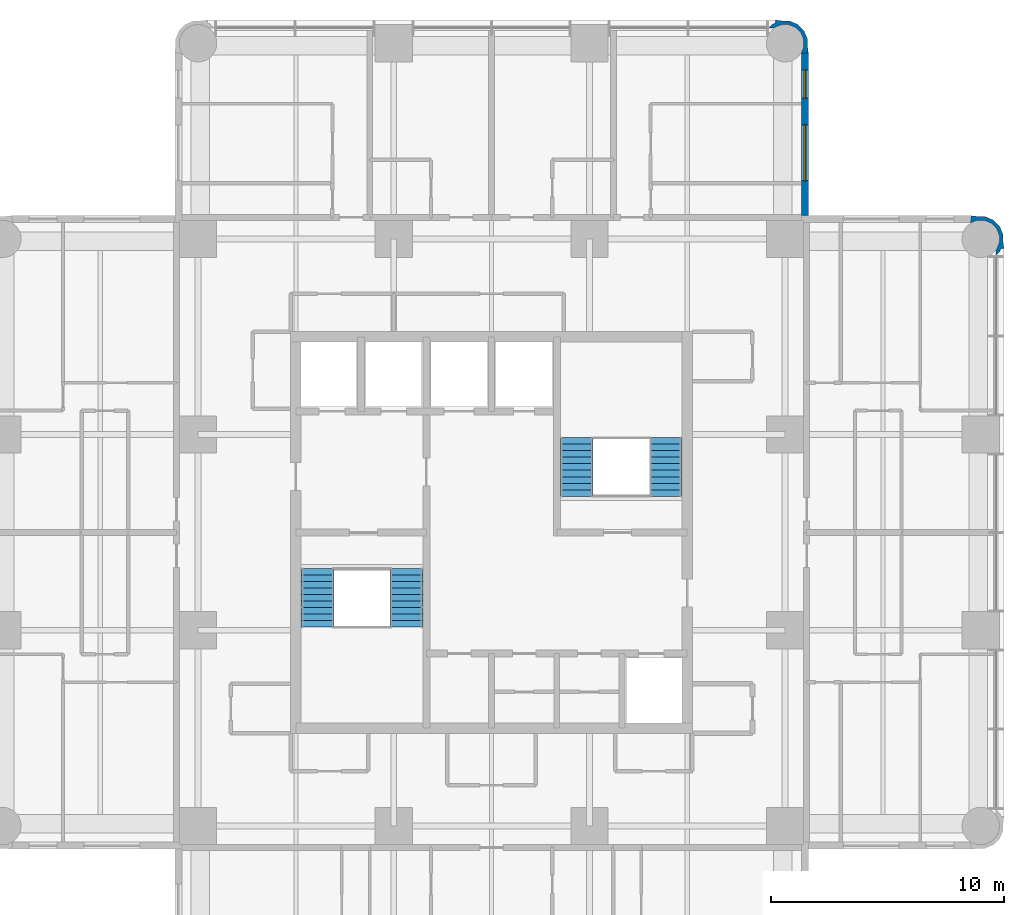
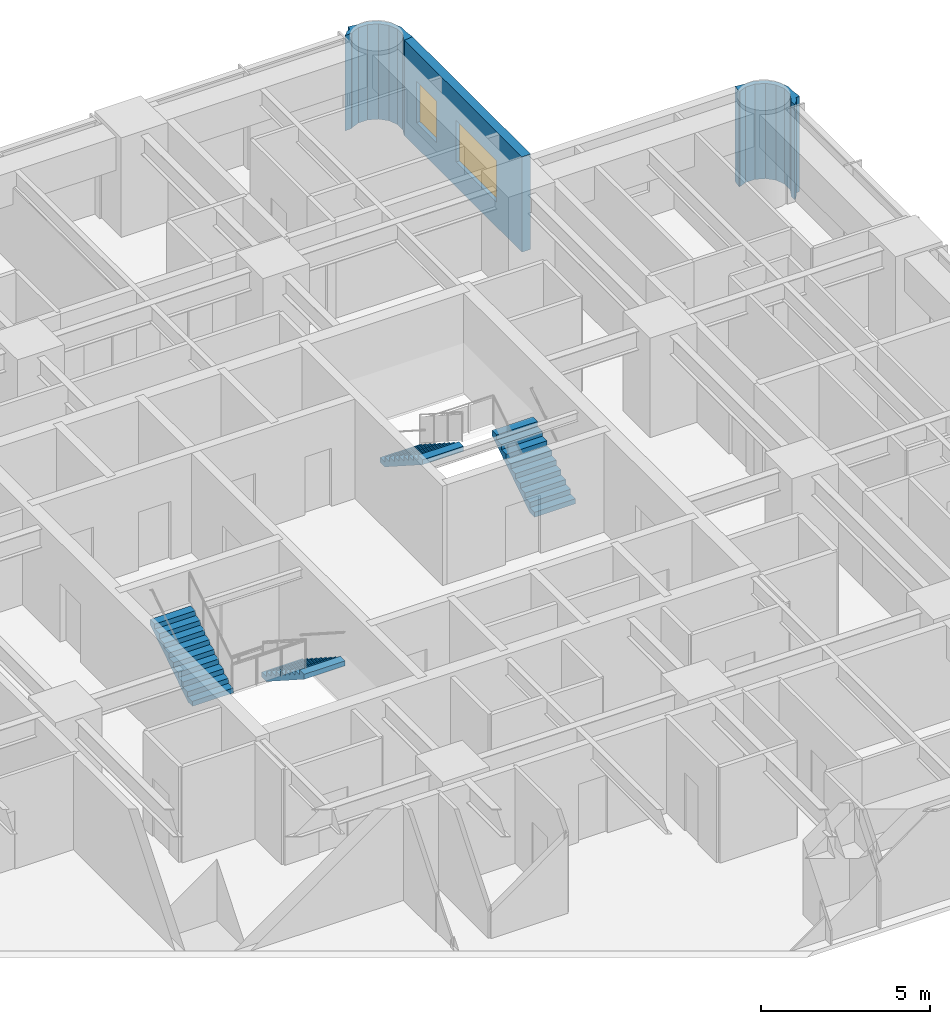
# One storey, part 9 of 10: 4 stair flights, 3 walls, 2 windows, 2 openings, 2 elements without a shape of their own.
"""IFC4 building model written with IfcOpenShell, lengths in metres."""

from ifc_helpers import new_model, si_unit, direction, frame, frame_2d, origin, place, context, subcontext, project, spatial, polyline, rectangle, outline, extrude, material, layer, layer_set, type_object, element, fill, aggregate, save


model = new_model("IFC4")

# Units and contexts
model_context = context("Model", 3, precision=1e-05, world=origin(), true_north=direction((0.0, 1.0)))
body_context = subcontext(model_context, "Body", "Model", "MODEL_VIEW")
ifc_project = project(units=[si_unit("LENGTHUNIT", "METRE"), si_unit("AREAUNIT", "SQUARE_METRE"), si_unit("VOLUMEUNIT", "CUBIC_METRE"), si_unit("PLANEANGLEUNIT", "RADIAN"), si_unit("MASSUNIT", "GRAM", prefix="KILO")], contexts=[model_context])

# Site, building, storey
site_placement = place(None, origin())
site = spatial("IfcSite", under=ifc_project, at=site_placement, CompositionType="ELEMENT")
building_placement = place(site_placement, origin())
building = spatial("IfcBuilding", under=site, at=building_placement, Name="Torre Alcanfor", CompositionType="ELEMENT")
storey_placement = place(building_placement, frame((0.0, 0.0, 257.699951171875)))
storey = spatial("IfcBuildingStorey", under=building, at=storey_placement, Name="L67", CompositionType="ELEMENT", Elevation=257.699951171875)

# Wall, openings, windows
ifc_material_1 = material(Name="Limestone cladding", Category="masonry")
ifc_layer_1 = layer(ifc_material_1, 0.0400390625, Name="Facing")
ifc_material_2 = material(Name="Ventilated air cavity")
ifc_layer_2 = layer(ifc_material_2, 0.02001953125, ventilated=True, Name="Ventilated joint")
ifc_material_3 = material(Name="Mineral wool insulation", Category="insulation")
ifc_layer_3 = layer(ifc_material_3, 0.10009765625, Name="Insulation")
ifc_material_4 = material(Name="Concrete f'c 35 MPa", Category="concrete")
ifc_layer_4 = layer(ifc_material_4, 0.139892578125, Name="Backing")
ifc_layer_set_1 = layer_set([ifc_layer_1, ifc_layer_2, ifc_layer_3, ifc_layer_4], Name="External wall stone-clad 300")
wall_type_1 = type_object("IfcWallType", Name="External wall stone-clad 300", PredefinedType="SOLIDWALL", material=ifc_layer_set_1)
wall_1_placement = place(storey_placement, frame((42.85009765625, 43.0, 0.0), z_axis=(0.0, 0.0, 1.0), x_axis=(0.0, 1.0, 0.0)))
wall_1 = element("IfcWall", 1, at=wall_1_placement, inside=storey, type_object=wall_type_1, Name="External wall L67 10", PredefinedType="SOLIDWALL", context=body_context, shape_type="SweptSolid", body=[
    extrude(rectangle(XDim=7.0, YDim=0.300048828125, at=frame_2d((3.5, 0.0))), origin(), (0.0, 0.0, 1.0), 3.449951171875),
])
opening_1_placement = place(wall_1_placement, frame((1.5, 0.0, 0.89990234375)))
opening_1 = element("IfcOpeningElement", 2, at=opening_1_placement, cuts=wall_1, Name="Opening W1", PredefinedType="OPENING", context=body_context, shape_type="SweptSolid", body=[
    extrude(rectangle(XDim=2.39990234375, YDim=1.5, at=frame_2d((1.199951171875, 0.75))), frame((0.0, 0.159912109375, 0.0), z_axis=(0.0, -1.0, 0.0), x_axis=(1.0, 0.0, 0.0)), (0.0, 0.0, 1.0), 0.320068359375),
])
opening_2_placement = place(wall_1_placement, frame((5.050048828125, 0.0, 0.89990234375)))
opening_2 = element("IfcOpeningElement", 3, at=opening_2_placement, cuts=wall_1, Name="Opening W4", PredefinedType="OPENING", context=body_context, shape_type="SweptSolid", body=[
    extrude(rectangle(XDim=1.199951171875, YDim=1.5, at=frame_2d((0.60009765625, 0.75))), frame((0.0, 0.159912109375, 0.0), z_axis=(0.0, -1.0, 0.0), x_axis=(1.0, 0.0, 0.0)), (0.0, 0.0, 1.0), 0.320068359375),
])
ifc_material_5 = material(Name="Aluminium frame with clear double glazing", Category="aluminium")
window_type_1 = type_object("IfcWindowType", Name="Window bedroom 1200x1500", PartitioningType="SINGLE_PANEL", PredefinedType="WINDOW", material=ifc_material_5)
window_1_placement = place(opening_2_placement, origin())
window_1 = element("IfcWindow", 4, at=window_1_placement, inside=storey, type_object=window_type_1, Name="Window W4 L67-N2", OverallHeight=1.5, OverallWidth=1.199951171875, PartitioningType="SINGLE_PANEL", PredefinedType="WINDOW", context=body_context, shape_type="SweptSolid", body=[
    extrude(rectangle(XDim=1.199951171875, YDim=1.5, at=frame_2d((0.60009765625, 0.75))), frame((0.0, 0.030029296875, 0.0), z_axis=(0.0, -1.0, 0.0), x_axis=(1.0, 0.0, 0.0)), (0.0, 0.0, 1.0), 0.06005859375),
])
fill(opening_2, window_1)
ifc_material_6 = material(Name="Aluminium frame with clear double glazing", Category="aluminium")
window_type_2 = type_object("IfcWindowType", Name="Window bedroom 2400x1500", PartitioningType="SINGLE_PANEL", PredefinedType="WINDOW", material=ifc_material_6)
window_2_placement = place(opening_1_placement, origin())
window_2 = element("IfcWindow", 5, at=window_2_placement, inside=storey, type_object=window_type_2, Name="Window W1 L67-N2", OverallHeight=1.5, OverallWidth=2.39990234375, PartitioningType="SINGLE_PANEL", PredefinedType="WINDOW", context=body_context, shape_type="SweptSolid", body=[
    extrude(rectangle(XDim=2.39990234375, YDim=1.5, at=frame_2d((1.199951171875, 0.75))), frame((0.0, 0.030029296875, 0.0), z_axis=(0.0, -1.0, 0.0), x_axis=(1.0, 0.0, 0.0)), (0.0, 0.0, 1.0), 0.06005859375),
])
fill(opening_1, window_2)

# Walls
ifc_layer_5 = layer(ifc_material_1, 0.0400390625, Name="Facing")
ifc_layer_6 = layer(ifc_material_2, 0.02001953125, ventilated=True, Name="Ventilated joint")
ifc_layer_7 = layer(ifc_material_3, 0.10009765625, Name="Insulation")
ifc_layer_8 = layer(ifc_material_4, 0.139892578125, Name="Backing")
ifc_layer_set_2 = layer_set([ifc_layer_5, ifc_layer_6, ifc_layer_7, ifc_layer_8], Name="Rounded corner pier stone-clad 300")
wall_type_2 = type_object("IfcWallType", Name="Rounded corner pier stone-clad 300", PredefinedType="SOLIDWALL", material=ifc_layer_set_2)
wall_2_placement = place(storey_placement, frame((50.995317512, 41.351928198, 0.0), z_axis=(0.0, 0.0, 1.0), x_axis=(0.93923434088, 0.343276641956, 0.0)))
element("IfcWall", 6, at=wall_2_placement, inside=storey, type_object=wall_type_2, Name="Corner pier L67 18", PredefinedType="SOLIDWALL", context=body_context, shape_type="SweptSolid", body=[
    extrude(outline(polyline([(0.532070859575347, 0.3931211644652769), (0.6306288016994257, 0.6627841490537395), (0.6143771848633752, 1.0443311048893273), (0.45345696635520466, 1.3906341192975507), (0.17231172366982617, 1.649090202748046), (-0.09758056617764022, 1.74773195264604), (-0.36909183345629537, 1.8895948858729632), (-0.5092390395564855, 1.6213555819315348), (-0.49066531357717813, 1.6145671522444172), (-0.47932809452638603, 1.6086040111878088), (-0.2113001838193056, 1.620076634704648), (0.08794317918064642, 1.5107074897455302), (0.32266524235562133, 1.295211990161107), (0.4568756133186334, 1.0059793555180252), (0.4702267622199973, 0.6876171339758476), (0.3609414250347944, 0.3886030762348993), (0.14544592545037124, 0.1538810130599244), (0.10810166675911574, 0.13633750707535794), (0.030998514757285493, -0.07462333120813314), (0.24109735984581876, 0.023005481286426002), (0.3334973043867029, 0.12362143657357082), (0.46519074604266464, 0.09420475511640602), (0.532070859575347, 0.3931211644652769)])), origin(), (0.0, 0.0, 1.0), 3.449951171875),
])
wall_3_placement = place(storey_placement, frame((42.817059488, 50.073176205, 0.0), z_axis=(0.0, 0.0, 1.0), x_axis=(0.343276641956, 0.93923434088, 0.0)))
element("IfcWall", 7, at=wall_3_placement, inside=storey, type_object=wall_type_2, Name="Corner pier L67 19", PredefinedType="SOLIDWALL", context=body_context, shape_type="SweptSolid", body=[
    extrude(outline(polyline([(0.2655808672444785, -0.0550807599050476), (0.5354731570919448, 0.04356098999294611), (0.8166183997773234, 0.30201707344344164), (0.9775386182854939, 0.6483200878516648), (0.9937902351215443, 1.0298670436872528), (0.8952322929974657, 1.2995300282757154), (0.8283521794647835, 1.5984464376245864), (0.6966587378088214, 1.5690297561674216), (0.6042587932679374, 1.6696457114545662), (0.39415994817940425, 1.7672745239491254), (0.47126310018123446, 1.5563136856656343), (0.50860735887249, 1.538770179681068), (0.7241028584569131, 1.304048116506093), (0.833388195642116, 1.0050340587651447), (0.8200370467407522, 0.686671837222967), (0.68582667577774, 0.3974392025798854), (0.4511046126027651, 0.18194370299546214), (0.15186124960281305, 0.07257455803634424), (-0.11616666110426738, 0.08404718155318341), (-0.12750388015505948, 0.07808404049657515), (-0.14607760613436685, 0.07129561080945748), (-0.0059304000341767055, -0.19694369313197083), (0.2655808672444785, -0.0550807599050476)])), origin(), (0.0, 0.0, 1.0), 3.449951171875),
])

# Stair, stair flights
ifc_material_7 = material(Name="Concrete f'c 35 MPa", Category="concrete")
stair_type_1 = type_object("IfcStairType", Name="Exit stair S1 1400 wide", PredefinedType="HALF_TURN_STAIR", material=ifc_material_7)
stair_1_placement = place(storey_placement, origin())
stair_1 = element("IfcStair", 8, at=stair_1_placement, inside=storey, type_object=stair_type_1, Name="Stair S1 L67 to L68", PredefinedType="HALF_TURN_STAIR")
ifc_material_8 = material(Name="Concrete f'c 35 MPa", Category="concrete")
stair_flight_type = type_object("IfcStairFlightType", Name="Stair flight 1400", PredefinedType="STRAIGHT", material=ifc_material_8)
stair_flight_1_placement = place(storey_placement, frame((25.75, 27.85009765625, 0.0), z_axis=(0.0, 0.0, 1.0), x_axis=(0.0, -1.0, 0.0)))
stair_flight_1 = element("IfcStairFlight", 9, at=stair_flight_1_placement, type_object=stair_flight_type, Name="S1 flight 1", NumberOfRisers=10, NumberOfTreads=9, PredefinedType="STRAIGHT", RiserHeight=0.18, TreadLength=0.28, context=body_context, shape_type="SweptSolid", body=[
    extrude(outline(polyline([(0.0, 0.0), (0.0, 0.179931640625), (0.280029296875, 0.179931640625), (0.280029296875, 0.360107421875), (0.56005859375, 0.360107421875), (0.56005859375, 0.5400390625), (0.840087890625, 0.5400390625), (0.840087890625, 0.719970703125), (1.1201171875, 0.719970703125), (1.1201171875, 0.89990234375), (1.39990234375, 0.89990234375), (1.39990234375, 1.080078125), (1.679931640625, 1.080078125), (1.679931640625, 1.260009765625), (1.9599609375, 1.260009765625), (1.9599609375, 1.43994140625), (2.239990234375, 1.43994140625), (2.239990234375, 1.6201171875), (2.52001953125, 1.6201171875), (2.52001953125, 1.800048828125), (2.52001953125, 1.44189453125), (0.277099609375, 0.0), (0.0, 0.0)])), frame((0.0, 0.699951171875, 0.0), z_axis=(0.0, -1.0, 0.0), x_axis=(1.0, 0.0, 0.0)), (0.0, 0.0, 1.0), 1.39990234375),
])
stair_flight_2_placement = place(storey_placement, frame((21.925048828125, 25.330078125, 1.800048828125), z_axis=(0.0, 0.0, 1.0), x_axis=(0.0, 1.0, 0.0)))
stair_flight_2 = element("IfcStairFlight", 10, at=stair_flight_2_placement, type_object=stair_flight_type, Name="S1 flight 2", NumberOfRisers=10, NumberOfTreads=9, PredefinedType="STRAIGHT", RiserHeight=0.18, TreadLength=0.28, context=body_context, shape_type="SweptSolid", body=[
    extrude(outline(polyline([(0.0, 0.0), (0.0, 0.179931640625), (0.280029296875, 0.179931640625), (0.280029296875, 0.360107421875), (0.56005859375, 0.360107421875), (0.56005859375, 0.5400390625), (0.840087890625, 0.5400390625), (0.840087890625, 0.719970703125), (1.1201171875, 0.719970703125), (1.1201171875, 0.89990234375), (1.39990234375, 0.89990234375), (1.39990234375, 1.080078125), (1.679931640625, 1.080078125), (1.679931640625, 1.260009765625), (1.9599609375, 1.260009765625), (1.9599609375, 1.43994140625), (2.239990234375, 1.43994140625), (2.239990234375, 1.6201171875), (2.52001953125, 1.6201171875), (2.52001953125, 1.800048828125), (2.52001953125, 1.44189453125), (0.277099609375, 0.0), (0.0, 0.0)])), frame((0.0, 0.699951171875, 0.0), z_axis=(0.0, -1.0, 0.0), x_axis=(1.0, 0.0, 0.0)), (0.0, 0.0, 1.0), 1.39990234375),
])
aggregate(stair_1, [stair_flight_1, stair_flight_2])

ifc_material_9 = material(Name="Concrete f'c 35 MPa", Category="concrete")
stair_type_2 = type_object("IfcStairType", Name="Exit stair S2 1400 wide", PredefinedType="HALF_TURN_STAIR", material=ifc_material_9)
stair_2_placement = place(storey_placement, origin())
stair_2 = element("IfcStair", 11, at=stair_2_placement, inside=storey, type_object=stair_type_2, Name="Stair S2 L67 to L68", PredefinedType="HALF_TURN_STAIR")
stair_flight_3_placement = place(storey_placement, frame((36.875, 30.949951171875, 0.0), z_axis=(0.0, 0.0, 1.0), x_axis=(0.0, 1.0, 0.0)))
stair_flight_3 = element("IfcStairFlight", 12, at=stair_flight_3_placement, type_object=stair_flight_type, Name="S2 flight 1", NumberOfRisers=10, NumberOfTreads=9, PredefinedType="STRAIGHT", RiserHeight=0.18, TreadLength=0.28, context=body_context, shape_type="SweptSolid", body=[
    extrude(outline(polyline([(0.0, 0.0), (0.0, 0.179931640625), (0.280029296875, 0.179931640625), (0.280029296875, 0.360107421875), (0.56005859375, 0.360107421875), (0.56005859375, 0.5400390625), (0.840087890625, 0.5400390625), (0.840087890625, 0.719970703125), (1.1201171875, 0.719970703125), (1.1201171875, 0.89990234375), (1.39990234375, 0.89990234375), (1.39990234375, 1.080078125), (1.679931640625, 1.080078125), (1.679931640625, 1.260009765625), (1.9599609375, 1.260009765625), (1.9599609375, 1.43994140625), (2.239990234375, 1.43994140625), (2.239990234375, 1.6201171875), (2.52001953125, 1.6201171875), (2.52001953125, 1.800048828125), (2.52001953125, 1.44189453125), (0.277099609375, 0.0), (0.0, 0.0)])), frame((0.0, 0.699951171875, 0.0), z_axis=(0.0, -1.0, 0.0), x_axis=(1.0, 0.0, 0.0)), (0.0, 0.0, 1.0), 1.39990234375),
])
stair_flight_4_placement = place(storey_placement, frame((33.050048828125, 33.469970703125, 1.800048828125), z_axis=(0.0, 0.0, 1.0), x_axis=(0.0, -1.0, 0.0)))
stair_flight_4 = element("IfcStairFlight", 13, at=stair_flight_4_placement, type_object=stair_flight_type, Name="S2 flight 2", NumberOfRisers=10, NumberOfTreads=9, PredefinedType="STRAIGHT", RiserHeight=0.18, TreadLength=0.28, context=body_context, shape_type="SweptSolid", body=[
    extrude(outline(polyline([(0.0, 0.0), (0.0, 0.179931640625), (0.280029296875, 0.179931640625), (0.280029296875, 0.360107421875), (0.56005859375, 0.360107421875), (0.56005859375, 0.5400390625), (0.840087890625, 0.5400390625), (0.840087890625, 0.719970703125), (1.1201171875, 0.719970703125), (1.1201171875, 0.89990234375), (1.39990234375, 0.89990234375), (1.39990234375, 1.080078125), (1.679931640625, 1.080078125), (1.679931640625, 1.260009765625), (1.9599609375, 1.260009765625), (1.9599609375, 1.43994140625), (2.239990234375, 1.43994140625), (2.239990234375, 1.6201171875), (2.52001953125, 1.6201171875), (2.52001953125, 1.800048828125), (2.52001953125, 1.44189453125), (0.277099609375, 0.0), (0.0, 0.0)])), frame((0.0, 0.699951171875, 0.0), z_axis=(0.0, -1.0, 0.0), x_axis=(1.0, 0.0, 0.0)), (0.0, 0.0, 1.0), 1.39990234375),
])
aggregate(stair_2, [stair_flight_3, stair_flight_4])

save(model, "model.ifc")
